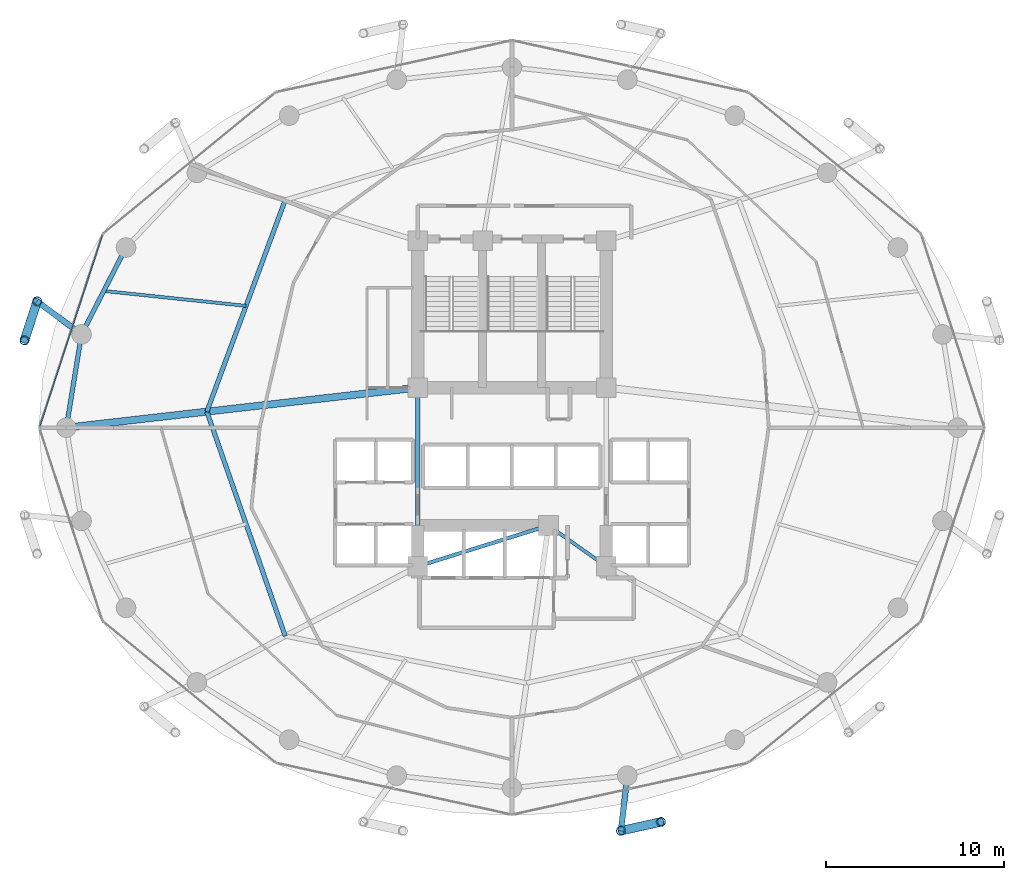
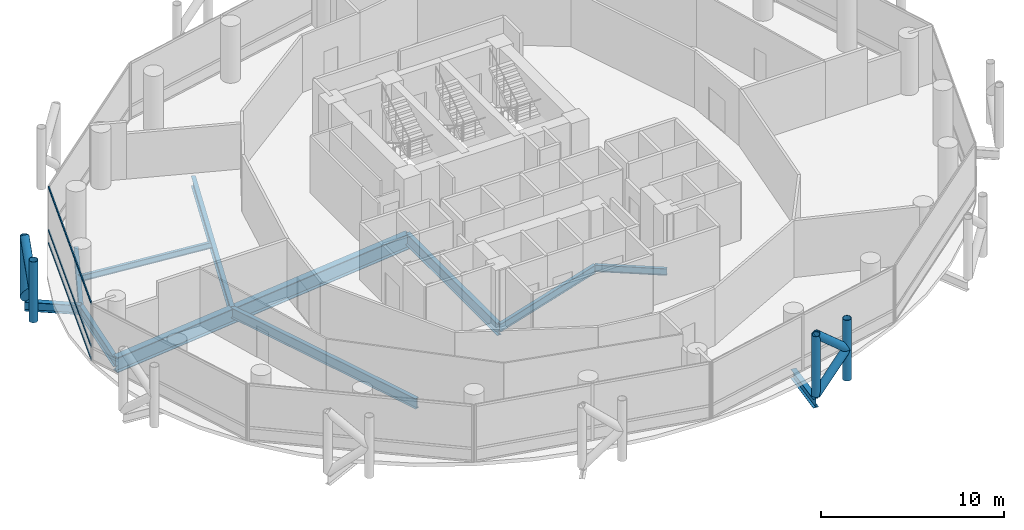
# One storey, part 7 of 24: 11 beams, 11 members, 1 element without a shape of its own.
"""IFC4 building model written with IfcOpenShell, lengths in metres."""

from ifc_helpers import new_model, si_unit, direction, frame, origin, origin_2d, place, context, subcontext, project, spatial, hollow_rectangle, hollow_circle, i_section, extrude, material, layer, layer_set, material_profile, profile_set, type_object, element, aggregate, save


model = new_model("IFC4")

# Units and contexts
model_context = context("Model", 3, precision=1e-05, world=origin(), true_north=direction((0.0, 1.0)))
body_context = subcontext(model_context, "Body", "Model", "MODEL_VIEW")
ifc_project = project(units=[si_unit("LENGTHUNIT", "METRE"), si_unit("AREAUNIT", "SQUARE_METRE"), si_unit("VOLUMEUNIT", "CUBIC_METRE"), si_unit("PLANEANGLEUNIT", "RADIAN"), si_unit("MASSUNIT", "GRAM", prefix="KILO")], contexts=[model_context])

# Site, building, storey
site_placement = place(None, origin())
site = spatial("IfcSite", under=ifc_project, at=site_placement, CompositionType="ELEMENT")
building_placement = place(site_placement, origin())
building = spatial("IfcBuilding", under=site, at=building_placement, Name="Nuhasar Tower", CompositionType="ELEMENT")
storey_placement = place(building_placement, frame((0.0, 0.0, 73.64990234375)))
storey = spatial("IfcBuildingStorey", under=building, at=storey_placement, Name="L17", CompositionType="ELEMENT", Elevation=73.64990234375)

# Beams
ifc_material_1 = material(Name="Steel S355", Category="steel")
ifc_material_profile_1 = material_profile(ifc_material_1, i_section(OverallWidth=0.25390625, OverallDepth=0.68408203125, WebThickness=0.012451171875, FlangeThickness=0.018798828125, at=origin_2d()), Name="W27X94")
ifc_profile_set_1 = profile_set([ifc_material_profile_1], Name="Steel S355")
beam_type_1 = type_object("IfcBeamType", Name="BM-INRING-W27X94", PredefinedType="BEAM", material=ifc_profile_set_1)
beam_1_placement = place(storey_placement, frame((26.251953125, 39.591064453125, -0.591796875), z_axis=(-0.34715757476, -0.937806812881, 0.0), x_axis=(0.937806812881, -0.34715757476, 0.0)))
element("IfcBeam", 1, at=beam_1_placement, inside=storey, type_object=beam_type_1, Name="L17 Inner Header Beam 07", PredefinedType="BEAM", context=body_context, shape_type="SweptSolid", body=[
    extrude(i_section(OverallWidth=0.25390625, OverallDepth=0.68408203125, WebThickness=0.012451171875, FlangeThickness=0.018798828125, at=origin_2d()), origin(), (0.0, 0.0, 1.0), 12.6796875),
])
beam_2_placement = place(storey_placement, frame((21.85009765625, 27.699951171875, -0.591796875), z_axis=(0.329554049858, -0.944136710558, 0.0), x_axis=(0.944136710558, 0.329554049858, 0.0)))
element("IfcBeam", 2, at=beam_2_placement, inside=storey, type_object=beam_type_1, Name="L17 Inner Header Beam 08", PredefinedType="BEAM", context=body_context, shape_type="SweptSolid", body=[
    extrude(i_section(OverallWidth=0.25390625, OverallDepth=0.68408203125, WebThickness=0.012451171875, FlangeThickness=0.018798828125, at=origin_2d()), origin(), (0.0, 0.0, 1.0), 13.35693359375),
])
ifc_material_profile_2 = material_profile(ifc_material_1, i_section(OverallWidth=0.177978515625, OverallDepth=0.406005859375, WebThickness=0.0078125, FlangeThickness=0.0126953125, at=origin_2d()), Name="W16X40")
ifc_profile_set_2 = profile_set([ifc_material_profile_2], Name="Steel S355")
beam_type_2 = type_object("IfcBeamType", Name="BM-JST-W16X40", PredefinedType="JOIST", material=ifc_profile_set_2)
beam_3_placement = place(storey_placement, frame((24.051025390625, 33.64501953125, -0.452880859375), z_axis=(-0.994554594377, 0.104216883485, 0.0), x_axis=(-0.104216883485, -0.994554594377, 0.0)))
element("IfcBeam", 3, at=beam_3_placement, inside=storey, type_object=beam_type_2, Name="L17 Secondary Floor Joist 07", PredefinedType="JOIST", context=body_context, shape_type="SweptSolid", body=[
    extrude(i_section(OverallWidth=0.177978515625, OverallDepth=0.406005859375, WebThickness=0.0078125, FlangeThickness=0.0126953125, at=origin_2d()), origin(), (0.0, 0.0, 1.0), 8.039794921875),
])
ifc_material_profile_3 = material_profile(ifc_material_1, i_section(OverallWidth=0.18994140625, OverallDepth=0.45703125, WebThickness=0.009033203125, FlangeThickness=0.014404296875, at=origin_2d()), Name="W18X50")
ifc_profile_set_3 = profile_set([ifc_material_profile_3], Name="Steel S355")
beam_type_3 = type_object("IfcBeamType", Name="BM-RAD-W18X50", PredefinedType="BEAM", material=ifc_profile_set_3)
beam_4_placement = place(storey_placement, frame((41.050048828125, 21.300048828125, -0.477783203125), z_axis=(0.816265428953, -0.577677028708, 0.0), x_axis=(0.577677028708, 0.816265428953, 0.0)))
element("IfcBeam", 4, at=beam_4_placement, inside=storey, type_object=beam_type_3, Name="L17 Core Ring Girder 2", PredefinedType="BEAM", context=body_context, shape_type="SweptSolid", body=[
    extrude(i_section(OverallWidth=0.18994140625, OverallDepth=0.45703125, WebThickness=0.009033203125, FlangeThickness=0.014404296875, at=origin_2d()), origin(), (0.0, 0.0, 1.0), 3.9814453125),
])
ifc_material_profile_4 = material_profile(ifc_material_1, i_section(OverallWidth=0.208984375, OverallDepth=0.532958984375, WebThickness=0.01025390625, FlangeThickness=0.015625, at=origin_2d()), Name="W21X62")
ifc_profile_set_4 = profile_set([ifc_material_profile_4], Name="Steel S355")
beam_type_4 = type_object("IfcBeamType", Name="BM-RAD-W21X62", PredefinedType="BEAM", material=ifc_profile_set_4)
beam_5_placement = place(storey_placement, frame((33.699951171875, 19.0, -0.515869140625), z_axis=(0.954363709454, 0.298646798205, 0.0), x_axis=(-0.298646798205, 0.954363709454, 0.0)))
element("IfcBeam", 5, at=beam_5_placement, inside=storey, type_object=beam_type_4, Name="L17 Core Ring Girder 1", PredefinedType="BEAM", context=body_context, shape_type="SweptSolid", body=[
    extrude(i_section(OverallWidth=0.208984375, OverallDepth=0.532958984375, WebThickness=0.01025390625, FlangeThickness=0.015625, at=origin_2d()), origin(), (0.0, 0.0, 1.0), 7.70166015625),
])
ifc_material_profile_5 = material_profile(ifc_material_1, i_section(OverallWidth=0.26611328125, OverallDepth=0.779052734375, WebThickness=0.0166015625, FlangeThickness=0.030029296875, at=origin_2d()), Name="W30X148")
ifc_profile_set_5 = profile_set([ifc_material_profile_5], Name="Steel S355")
beam_type_5 = type_object("IfcBeamType", Name="BM-RAD-W30X148", PredefinedType="BEAM", material=ifc_profile_set_5)
beam_6_placement = place(storey_placement, frame((33.699951171875, 29.050048828125, -0.638916015625), z_axis=(0.0, -1.0, 0.0), x_axis=(1.0, 0.0, 0.0)))
element("IfcBeam", 6, at=beam_6_placement, inside=storey, type_object=beam_type_5, Name="L17 Core Ring Girder 8", PredefinedType="BEAM", context=body_context, shape_type="SweptSolid", body=[
    extrude(i_section(OverallWidth=0.26611328125, OverallDepth=0.779052734375, WebThickness=0.0166015625, FlangeThickness=0.030029296875, at=origin_2d()), origin(), (0.0, 0.0, 1.0), 10.050048828125),
])
ifc_material_profile_6 = material_profile(ifc_material_1, i_section(OverallWidth=0.256103515625, OverallDepth=0.693115234375, WebThickness=0.014404296875, FlangeThickness=0.023681640625, at=origin_2d()), Name="W27X114")
ifc_profile_set_6 = profile_set([ifc_material_profile_6], Name="Steel S355")
beam_type_6 = type_object("IfcBeamType", Name="BM-RING-W27X114", PredefinedType="SPANDREL", material=ifc_profile_set_6)
beam_7_placement = place(storey_placement, frame((17.305908203125, 36.925048828125, -0.596923828125), z_axis=(-0.455930023905, -0.890015625314, 0.0), x_axis=(0.890015625314, -0.455930023905, 0.0)))
element("IfcBeam", 7, at=beam_7_placement, inside=storey, type_object=beam_type_6, Name="L17 Perimeter Ring Spandrel 11", PredefinedType="SPANDREL", context=body_context, shape_type="SweptSolid", body=[
    extrude(i_section(OverallWidth=0.256103515625, OverallDepth=0.693115234375, WebThickness=0.014404296875, FlangeThickness=0.023681640625, at=origin_2d()), origin(), (0.0, 0.0, 1.0), 5.487548828125),
])
beam_8_placement = place(storey_placement, frame((14.803955078125, 32.041015625, -0.596923828125), z_axis=(-0.160826635486, -0.986982671235, 0.0), x_axis=(0.986982671235, -0.160826635486, 0.0)))
element("IfcBeam", 8, at=beam_8_placement, inside=storey, type_object=beam_type_6, Name="L17 Perimeter Ring Spandrel 12", PredefinedType="SPANDREL", context=body_context, shape_type="SweptSolid", body=[
    extrude(i_section(OverallWidth=0.256103515625, OverallDepth=0.693115234375, WebThickness=0.014404296875, FlangeThickness=0.023681640625, at=origin_2d()), origin(), (0.0, 0.0, 1.0), 5.31005859375),
])
ifc_material_profile_7 = material_profile(ifc_material_1, i_section(OverallWidth=0.323974609375, OverallDepth=0.611083984375, WebThickness=0.0126953125, FlangeThickness=0.01904296875, at=origin_2d()), Name="W24X104")
ifc_profile_set_7 = profile_set([ifc_material_profile_7], Name="Steel S355")
beam_type_7 = type_object("IfcBeamType", Name="BM-TIE-W24X104", PredefinedType="BEAM", material=ifc_profile_set_7)
beam_9_placement = place(storey_placement, frame((14.803955078125, 32.041015625, -0.554931640625), z_axis=(-0.802151061326, 0.597121155892, 0.0), x_axis=(-0.597121155892, -0.802151061326, 0.0)))
element("IfcBeam", 9, at=beam_9_placement, inside=storey, type_object=beam_type_7, Name="L17 Exoskeleton Node Tie Beam 06", PredefinedType="BEAM", context=body_context, shape_type="SweptSolid", body=[
    extrude(i_section(OverallWidth=0.323974609375, OverallDepth=0.611083984375, WebThickness=0.0126953125, FlangeThickness=0.01904296875, at=origin_2d()), origin(), (0.0, 0.0, 1.0), 3.111328125),
])
beam_10_placement = place(storey_placement, frame((45.48291015625, 7.239990234375, -0.554931640625), z_axis=(-0.115042934281, -0.993360520291, 0.0), x_axis=(0.993360520291, -0.115042934281, 0.0)))
element("IfcBeam", 10, at=beam_10_placement, inside=storey, type_object=beam_type_7, Name="L17 Exoskeleton Node Tie Beam 10", PredefinedType="BEAM", context=body_context, shape_type="SweptSolid", body=[
    extrude(i_section(OverallWidth=0.323974609375, OverallDepth=0.611083984375, WebThickness=0.0126953125, FlangeThickness=0.01904296875, at=origin_2d()), origin(), (0.0, 0.0, 1.0), 3.11962890625),
])
ifc_material_2 = material(Name="Steel S460", Category="steel")
ifc_material_profile_8 = material_profile(ifc_material_2, i_section(OverallWidth=0.40087890625, OverallDepth=1.010009765625, WebThickness=0.023681640625, FlangeThickness=0.0419921875, at=origin_2d()), Name="W40X297")
ifc_profile_set_8 = profile_set([ifc_material_profile_8], Name="Steel S460")
beam_type_8 = type_object("IfcBeamType", Name="BM-XFER-W40X297", PredefinedType="USERDEFINED", material=ifc_profile_set_8)
beam_11_placement = place(storey_placement, frame((33.699951171875, 29.050048828125, -0.7548828125), z_axis=(-0.993573147212, -0.113191877531, 0.0), x_axis=(0.113191877531, -0.993573147212, 0.0)))
element("IfcBeam", 11, at=beam_11_placement, inside=storey, type_object=beam_type_8, Name="L17 Radial Floor Girder 08", ObjectType="GIRDER", PredefinedType="USERDEFINED", context=body_context, shape_type="SweptSolid", body=[
    extrude(i_section(OverallWidth=0.40087890625, OverallDepth=1.010009765625, WebThickness=0.023681640625, FlangeThickness=0.0419921875, at=origin_2d()), origin(), (0.0, 0.0, 1.0), 19.877685546875),
])

# Curtain wall, members
ifc_material_3 = material(Name="Aluminium 6063-T6", Category="aluminium")
ifc_layer = layer(ifc_material_3, 0.199951171875)
ifc_layer_set = layer_set([ifc_layer], Name="Aluminium 6063-T6")
curtain_wall_type = type_object("IfcCurtainWallType", Name="CW-Z1-OFF", PredefinedType="NOTDEFINED", material=ifc_layer_set)
curtain_wall_placement = place(storey_placement, origin())
curtain_wall = element("IfcCurtainWall", 12, at=curtain_wall_placement, inside=storey, type_object=curtain_wall_type, Name="L17 Unitised Curtain Wall 06", PredefinedType="NOTDEFINED")
ifc_material_profile_9 = material_profile(ifc_material_3, hollow_rectangle(XDim=0.06494140625, YDim=0.14990234375, WallThickness=0.00439453125, at=origin_2d()), Name="CWT-2")
ifc_profile_set_9 = profile_set([ifc_material_profile_9], Name="Aluminium 6063-T6")
member_type_1 = type_object("IfcMemberType", Name="CW-TRN-S2", PredefinedType="USERDEFINED", material=ifc_profile_set_9)
member_1_placement = place(storey_placement, frame((15.977783203125, 37.6181640625, 0.03271484375), z_axis=(-0.31082506089, -0.950467138581, 0.0), x_axis=(0.950467138581, -0.31082506089, 0.0)))
member_1 = element("IfcMember", 13, at=member_1_placement, type_object=member_type_1, Name="CW-Z1 transom 1.1", ObjectType="TRANSOM", PredefinedType="USERDEFINED", context=body_context, shape_type="SweptSolid", body=[
    extrude(hollow_rectangle(XDim=0.06494140625, YDim=0.14990234375, WallThickness=0.00439453125, at=origin_2d()), origin(), (0.0, 0.0, 1.0), 11.31689453125),
])
member_2_placement = place(storey_placement, frame((15.977783203125, 37.6181640625, 0.900146484375), z_axis=(-0.31082506089, -0.950467138581, 0.0), x_axis=(0.950467138581, -0.31082506089, 0.0)))
member_2 = element("IfcMember", 14, at=member_2_placement, type_object=member_type_1, Name="CW-Z1 transom 1.2", ObjectType="TRANSOM", PredefinedType="USERDEFINED", context=body_context, shape_type="SweptSolid", body=[
    extrude(hollow_rectangle(XDim=0.06494140625, YDim=0.14990234375, WallThickness=0.00439453125, at=origin_2d()), origin(), (0.0, 0.0, 1.0), 11.31689453125),
])
member_3_placement = place(storey_placement, frame((15.977783203125, 37.6181640625, 3.767578125), z_axis=(-0.31082506089, -0.950467138581, 0.0), x_axis=(0.950467138581, -0.31082506089, 0.0)))
member_3 = element("IfcMember", 15, at=member_3_placement, type_object=member_type_1, Name="CW-Z1 transom 1.3", ObjectType="TRANSOM", PredefinedType="USERDEFINED", context=body_context, shape_type="SweptSolid", body=[
    extrude(hollow_rectangle(XDim=0.06494140625, YDim=0.14990234375, WallThickness=0.00439453125, at=origin_2d()), origin(), (0.0, 0.0, 1.0), 11.31689453125),
])
aggregate(curtain_wall, [member_1, member_2, member_3])

# Members
ifc_material_profile_10 = material_profile(ifc_material_2, hollow_circle(Radius=0.25390625, WallThickness=0.025390625, at=origin_2d()), Name="HSS508X25.4")
ifc_profile_set_10 = profile_set([ifc_material_profile_10], Name="Steel S460")
member_type_2 = type_object("IfcMemberType", Name="EXO-BRONZE-508", PredefinedType="BRACE", material=ifc_profile_set_10)
for number, where, z_axis, x_axis, name in (
    (16, (12.30810546875, 33.89892578125, 0.0), (0.0, 0.0, 1.0), (1.0, 0.0, 0.0), "L17 Exoskeleton Chord Column EC-06A"),
    (17, (11.60009765625, 31.7099609375, 0.0), (0.0, 0.0, 1.0), (1.0, 0.0, 0.0), "L17 Exoskeleton Chord Column EC-06B"),
    (18, (45.1240234375, 4.14111328125, 0.0), (0.0, 0.0, 1.0), (1.0, 0.0, 0.0), "L17 Exoskeleton Chord Column EC-10A"),
    (19, (47.3701171875, 4.639892578125, 0.0), (0.0, 0.0, 1.0), (1.0, 0.0, 0.0), "L17 Exoskeleton Chord Column EC-10B"),
):
    element("IfcMember", number, at=place(storey_placement, frame(where, z_axis=z_axis, x_axis=x_axis)), inside=storey, type_object=member_type_2, Name=name, PredefinedType="BRACE", context=body_context, shape_type="SweptSolid", body=[
        extrude(hollow_circle(Radius=0.25390625, WallThickness=0.025390625, at=origin_2d()), origin(), (0.0, 0.0, 1.0), 4.050048828125),
    ])
member_4_placement = place(storey_placement, frame((12.30810546875, 33.89892578125, 0.0), z_axis=(-0.230999678299, -0.714187281251, 0.660738734997), x_axis=(0.951468282519, -0.307746823478, 0.0)))
element("IfcMember", 20, at=member_4_placement, inside=storey, type_object=member_type_2, Name="L17 Bronze Diagrid Brace W1-06", PredefinedType="BRACE", context=body_context, shape_type="SweptSolid", body=[
    extrude(hollow_circle(Radius=0.25390625, WallThickness=0.025390625, at=origin_2d()), origin(), (0.0, 0.0, 1.0), 3.06494140625),
])
member_5_placement = place(storey_placement, frame((11.60009765625, 31.7099609375, 2.025146484375), z_axis=(0.231011836313, 0.714224870475, 0.660693851854), x_axis=(-0.951468282519, 0.307746823478, 0.0)))
element("IfcMember", 21, at=member_5_placement, inside=storey, type_object=member_type_2, Name="L17 Bronze Diagrid Brace W2-06", PredefinedType="BRACE", context=body_context, shape_type="SweptSolid", body=[
    extrude(hollow_circle(Radius=0.25390625, WallThickness=0.025390625, at=origin_2d()), origin(), (0.0, 0.0, 1.0), 3.064697265625),
])
member_6_placement = place(storey_placement, frame((45.1240234375, 4.14111328125, 0.0), z_axis=(0.732792408767, 0.162727705556, 0.660707938122), x_axis=(-0.216784396973, 0.976219506683, 0.0)))
element("IfcMember", 22, at=member_6_placement, inside=storey, type_object=member_type_2, Name="L17 Bronze Diagrid Brace W1-10", PredefinedType="BRACE", context=body_context, shape_type="SweptSolid", body=[
    extrude(hollow_circle(Radius=0.25390625, WallThickness=0.025390625, at=origin_2d()), origin(), (0.0, 0.0, 1.0), 3.065185546875),
])
member_7_placement = place(storey_placement, frame((47.3701171875, 4.639892578125, 2.025146484375), z_axis=(-0.732830973624, -0.162736269469, 0.66066305383), x_axis=(0.216784396973, -0.976219506683, 0.0)))
element("IfcMember", 23, at=member_7_placement, inside=storey, type_object=member_type_2, Name="L17 Bronze Diagrid Brace W2-10", PredefinedType="BRACE", context=body_context, shape_type="SweptSolid", body=[
    extrude(hollow_circle(Radius=0.25390625, WallThickness=0.025390625, at=origin_2d()), origin(), (0.0, 0.0, 1.0), 3.06494140625),
])

save(model, "model.ifc")
